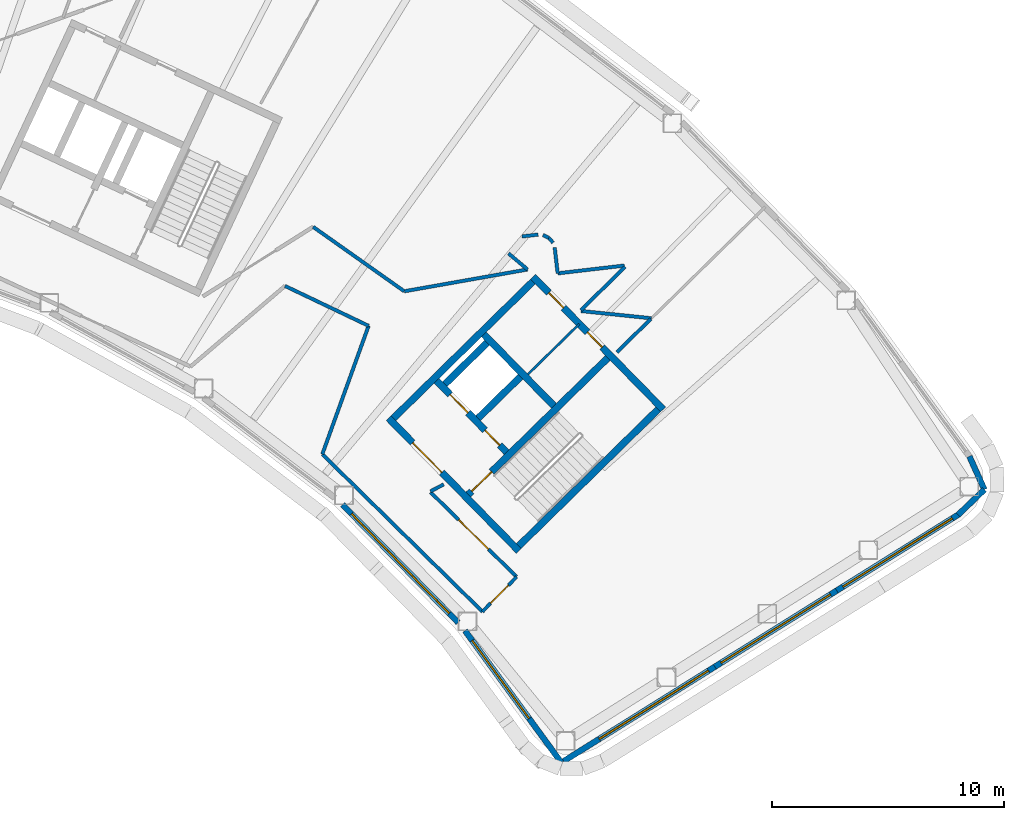
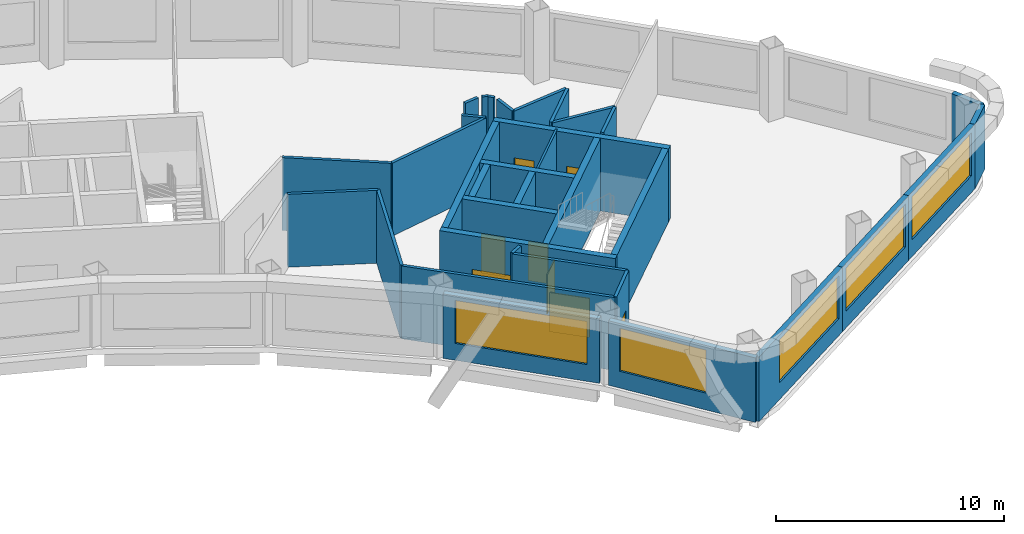
# One storey, part 9 of 13: 34 walls, 8 doors, 5 windows, 13 openings.
"""IFC4 building model written with IfcOpenShell, lengths in metres."""

from ifc_helpers import new_model, si_unit, direction, frame, frame_2d, origin, place, context, subcontext, project, spatial, rectangle, extrude, material, layer, layer_set, type_object, element, fill, save


model = new_model("IFC4")

# Units and contexts
model_context = context("Model", 3, precision=1e-05, world=origin(), true_north=direction((0.0, 1.0)))
body_context = subcontext(model_context, "Body", "Model", "MODEL_VIEW")
ifc_project = project(units=[si_unit("LENGTHUNIT", "METRE"), si_unit("AREAUNIT", "SQUARE_METRE"), si_unit("VOLUMEUNIT", "CUBIC_METRE"), si_unit("PLANEANGLEUNIT", "RADIAN"), si_unit("MASSUNIT", "GRAM", prefix="KILO")], contexts=[model_context])

# Site, building, storey
site_placement = place(None, origin())
site = spatial("IfcSite", under=ifc_project, at=site_placement, CompositionType="ELEMENT")
building_placement = place(site_placement, origin())
building = spatial("IfcBuilding", under=site, at=building_placement, Name="Tuul Gate Civic Tower", CompositionType="ELEMENT")
storey_placement = place(building_placement, frame((0.0, 0.0, 230.5)))
storey = spatial("IfcBuildingStorey", under=building, at=storey_placement, Name="Level 52", CompositionType="ELEMENT", Elevation=230.5)

# Wall, opening, door
ifc_material_1 = material(Name="Concrete C50/60", Category="concrete")
ifc_layer_1 = layer(ifc_material_1, 0.300048828125)
ifc_layer_set_1 = layer_set([ifc_layer_1], Name="Concrete C50/60")
wall_type_1 = type_object("IfcWallType", Name="Core wall C50/60", PredefinedType="SHEAR", material=ifc_layer_set_1)
wall_1_placement = place(storey_placement, frame((48.22509765625, -18.327880859375, 0.0), z_axis=(0.0, 0.0, 1.0), x_axis=(-0.700021979774, 0.714121297703, 0.0)))
wall_1 = element("IfcWall", 1, at=wall_1_placement, inside=storey, type_object=wall_type_1, Name="Core wall", PredefinedType="SHEAR", context=body_context, shape_type="SweptSolid", body=[
    extrude(rectangle(XDim=8.0, YDim=0.300048828125, at=frame_2d((4.0, 0.0))), origin(), (0.0, 0.0, 1.0), 3.89990234375),
])
opening_1_placement = place(wall_1_placement, frame((4.72509765625, 0.0, 0.0)))
opening_1 = element("IfcOpeningElement", 2, at=opening_1_placement, cuts=wall_1, Name="Opening LB-E1-LOBBY-1", PredefinedType="OPENING", context=body_context, shape_type="SweptSolid", body=[
    extrude(rectangle(XDim=1.800048828125, YDim=2.10009765625, at=frame_2d((0.89990234375, 1.050048828125))), frame((0.0, 0.16015625, 0.0), z_axis=(0.0, -1.0, 0.0), x_axis=(1.0, 0.0, 0.0)), (0.0, 0.0, 1.0), 0.320068359375),
])
ifc_material_2 = material(Name="Steel", Category="steel")
door_type_1 = type_object("IfcDoorType", Name="Lobby door", OperationType="DOUBLE_DOOR_SINGLE_SWING", PredefinedType="DOOR", material=ifc_material_2)
door_1_placement = place(opening_1_placement, frame((1.800048828125, 0.0, 0.0), z_axis=(0.0, 0.0, 1.0), x_axis=(-1.0, 0.0, 0.0)))
door_1 = element("IfcDoor", 3, at=door_1_placement, inside=storey, type_object=door_type_1, Name="Lobby door E1-LOBBY", OperationType="DOUBLE_DOOR_SINGLE_SWING", OverallHeight=2.10009765625, OverallWidth=1.800048828125, PredefinedType="DOOR", context=body_context, shape_type="SweptSolid", body=[
    extrude(rectangle(XDim=1.800048828125, YDim=2.10009765625, at=frame_2d((0.900146484375, 1.050048828125))), frame((0.0, 0.02490234375, 0.0), z_axis=(0.0, -1.0, 0.0), x_axis=(1.0, 0.0, 0.0)), (0.0, 0.0, 1.0), 0.050048828125),
])
fill(opening_1, door_1)

# Wall, openings, doors
wall_2_placement = place(storey_placement, frame((47.701904296875, -14.079833984375, 0.0), z_axis=(0.0, 0.0, 1.0), x_axis=(-0.700002721075, 0.714140175657, 0.0)))
wall_2 = element("IfcWall", 4, at=wall_2_placement, inside=storey, type_object=wall_type_1, Name="Core wall", PredefinedType="SHEAR", context=body_context, shape_type="SweptSolid", body=[
    extrude(rectangle(XDim=4.300048828125, YDim=0.300048828125, at=frame_2d((2.14990234375, 0.0))), origin(), (0.0, 0.0, 1.0), 3.89990234375),
])
opening_2_placement = place(wall_2_placement, frame((0.425048828125, 0.0, 0.0)))
opening_2 = element("IfcOpeningElement", 5, at=opening_2_placement, cuts=wall_2, Name="Opening FB-E1A1", PredefinedType="OPENING", context=body_context, shape_type="SweptSolid", body=[
    extrude(rectangle(XDim=0.89990234375, YDim=2.10009765625, at=frame_2d((0.449951171875, 1.050048828125))), frame((0.0, 0.16015625, 0.0), z_axis=(0.0, -1.0, 0.0), x_axis=(1.0, 0.0, 0.0)), (0.0, 0.0, 1.0), 0.320068359375),
])
opening_3_placement = place(wall_2_placement, frame((2.375, 0.0, 0.0)))
opening_3 = element("IfcOpeningElement", 6, at=opening_3_placement, cuts=wall_2, Name="Opening LD-M3", PredefinedType="OPENING", context=body_context, shape_type="SweptSolid", body=[
    extrude(rectangle(XDim=1.10009765625, YDim=2.10009765625, at=frame_2d((0.550048828125, 1.050048828125))), frame((0.0, 0.16015625, 0.0), z_axis=(0.0, -1.0, 0.0), x_axis=(1.0, 0.0, 0.0)), (0.0, 0.0, 1.0), 0.320068359375),
])
ifc_material_3 = material(Name="Stainless steel", Category="steel")
door_type_2 = type_object("IfcDoorType", Name="Landing door", OperationType="DOUBLE_DOOR_SLIDING", PredefinedType="DOOR", material=ifc_material_3)
door_2_placement = place(opening_3_placement, origin())
door_2 = element("IfcDoor", 7, at=door_2_placement, inside=storey, type_object=door_type_2, Name="Mid-rise lift M3 landing door", OperationType="DOUBLE_DOOR_SLIDING", OverallHeight=2.10009765625, OverallWidth=1.10009765625, PredefinedType="DOOR", context=body_context, shape_type="SweptSolid", body=[
    extrude(rectangle(XDim=1.10009765625, YDim=2.10009765625, at=frame_2d((0.550048828125, 1.050048828125))), frame((0.0, 0.02490234375, 0.0), z_axis=(0.0, -1.0, 0.0), x_axis=(1.0, 0.0, 0.0)), (0.0, 0.0, 1.0), 0.050048828125),
])
fill(opening_3, door_2)
ifc_material_4 = material(Name="Steel", Category="steel")
door_type_3 = type_object("IfcDoorType", Name="Store door", OperationType="NOTDEFINED", PredefinedType="DOOR", material=ifc_material_4)
door_3_placement = place(opening_2_placement, frame((0.89990234375, 0.0, 0.0), z_axis=(0.0, 0.0, 1.0), x_axis=(-1.0, 0.0, 0.0)))
door_3 = element("IfcDoor", 8, at=door_3_placement, inside=storey, type_object=door_type_3, Name="Store door E1A1", OperationType="SINGLE_SWING_RIGHT", OverallHeight=2.10009765625, OverallWidth=0.89990234375, PredefinedType="DOOR", context=body_context, shape_type="SweptSolid", body=[
    extrude(rectangle(XDim=0.89990234375, YDim=2.10009765625, at=frame_2d((0.449951171875, 1.050048828125))), frame((0.0, 0.02490234375, 0.0), z_axis=(0.0, -1.0, 0.0), x_axis=(1.0, 0.0, 0.0)), (0.0, 0.0, 1.0), 0.050048828125),
])
fill(opening_2, door_3)

# Wall
wall_3_placement = place(storey_placement, frame((49.737060546875, -12.0849609375, 0.0), z_axis=(0.0, 0.0, 1.0), x_axis=(-0.700002721075, 0.714140175657, 0.0)))
element("IfcWall", 9, at=wall_3_placement, inside=storey, type_object=wall_type_1, Name="Core wall", PredefinedType="SHEAR", context=body_context, shape_type="SweptSolid", body=[
    extrude(rectangle(XDim=4.300048828125, YDim=0.300048828125, at=frame_2d((2.14990234375, 0.0))), origin(), (0.0, 0.0, 1.0), 3.89990234375),
])

# Wall, openings, doors
wall_4_placement = place(storey_placement, frame((54.43798828125, -12.23779296875, 0.0), z_axis=(0.0, 0.0, 1.0), x_axis=(-0.700021979774, 0.714121297703, 0.0)))
wall_4 = element("IfcWall", 10, at=wall_4_placement, inside=storey, type_object=wall_type_1, Name="Core wall", PredefinedType="SHEAR", context=body_context, shape_type="SweptSolid", body=[
    extrude(rectangle(XDim=8.0, YDim=0.300048828125, at=frame_2d((4.0, 0.0))), origin(), (0.0, 0.0, 1.0), 3.89990234375),
])
opening_4_placement = place(wall_4_placement, frame((3.75, 0.0, 0.0)))
opening_4 = element("IfcOpeningElement", 11, at=opening_4_placement, cuts=wall_4, Name="Opening S-D34", PredefinedType="OPENING", context=body_context, shape_type="SweptSolid", body=[
    extrude(rectangle(XDim=0.89990234375, YDim=2.10009765625, at=frame_2d((0.449951171875, 1.050048828125))), frame((0.0, 0.16015625, 0.0), z_axis=(0.0, -1.0, 0.0), x_axis=(1.0, 0.0, 0.0)), (0.0, 0.0, 1.0), 0.320068359375),
])
opening_5_placement = place(wall_4_placement, frame((6.125, 0.0, 0.0)))
opening_5 = element("IfcOpeningElement", 12, at=opening_5_placement, cuts=wall_4, Name="Opening S-D35", PredefinedType="OPENING", context=body_context, shape_type="SweptSolid", body=[
    extrude(rectangle(XDim=0.89990234375, YDim=2.10009765625, at=frame_2d((0.449951171875, 1.050048828125))), frame((0.0, 0.16015625, 0.0), z_axis=(0.0, -1.0, 0.0), x_axis=(1.0, 0.0, 0.0)), (0.0, 0.0, 1.0), 0.320068359375),
])
ifc_material_5 = material(Name="Timber door leaf", Category="wood")
door_type_4 = type_object("IfcDoorType", Name="Door D09", OperationType="NOTDEFINED", PredefinedType="DOOR", material=ifc_material_5)
door_4_placement = place(opening_4_placement, origin())
door_4 = element("IfcDoor", 13, at=door_4_placement, inside=storey, type_object=door_type_4, Name="Door S-D34", OperationType="SINGLE_SWING_LEFT", OverallHeight=2.10009765625, OverallWidth=0.89990234375, PredefinedType="DOOR", context=body_context, shape_type="SweptSolid", body=[
    extrude(rectangle(XDim=0.89990234375, YDim=2.10009765625, at=frame_2d((0.449951171875, 1.050048828125))), frame((0.0, 0.02490234375, 0.0), z_axis=(0.0, -1.0, 0.0), x_axis=(1.0, 0.0, 0.0)), (0.0, 0.0, 1.0), 0.050048828125),
])
fill(opening_4, door_4)
door_5_placement = place(opening_5_placement, origin())
door_5 = element("IfcDoor", 14, at=door_5_placement, inside=storey, type_object=door_type_4, Name="Door S-D35", OperationType="SINGLE_SWING_LEFT", OverallHeight=2.10009765625, OverallWidth=0.89990234375, PredefinedType="DOOR", context=body_context, shape_type="SweptSolid", body=[
    extrude(rectangle(XDim=0.89990234375, YDim=2.10009765625, at=frame_2d((0.449951171875, 1.050048828125))), frame((0.0, 0.02490234375, 0.0), z_axis=(0.0, -1.0, 0.0), x_axis=(1.0, 0.0, 0.0)), (0.0, 0.0, 1.0), 0.050048828125),
])
fill(opening_5, door_5)

# Wall
wall_5_placement = place(storey_placement, frame((48.227294921875, -18.115966796875, 0.0), z_axis=(0.0, 0.0, 1.0), x_axis=(0.714105315431, 0.700038283577, 0.0)))
element("IfcWall", 15, at=wall_5_placement, inside=storey, type_object=wall_type_1, Name="Core wall", PredefinedType="SHEAR", context=body_context, shape_type="SweptSolid", body=[
    extrude(rectangle(XDim=8.400146484375, YDim=0.300048828125, at=frame_2d((4.2001953125, 0.0))), origin(), (0.0, 0.0, 1.0), 3.89990234375),
])

# Wall, opening, door
wall_6_placement = place(storey_placement, frame((46.05712890625, -15.902099609375, 0.0), z_axis=(0.0, 0.0, 1.0), x_axis=(0.714134086973, 0.700008932674, 0.0)))
wall_6 = element("IfcWall", 16, at=wall_6_placement, inside=storey, type_object=wall_type_1, Name="Core wall", PredefinedType="SHEAR", context=body_context, shape_type="SweptSolid", body=[
    extrude(rectangle(XDim=8.400146484375, YDim=0.300048828125, at=frame_2d((4.2001953125, 0.0))), origin(), (0.0, 0.0, 1.0), 3.89990234375),
])
opening_6_placement = place(wall_6_placement, frame((0.199951171875, 0.0, 0.0)))
opening_6 = element("IfcOpeningElement", 17, at=opening_6_placement, cuts=wall_6, Name="Opening SD-ST-3", PredefinedType="OPENING", context=body_context, shape_type="SweptSolid", body=[
    extrude(rectangle(XDim=1.199951171875, YDim=2.10009765625, at=frame_2d((0.60009765625, 1.050048828125))), frame((0.0, 0.16015625, 0.0), z_axis=(0.0, -1.0, 0.0), x_axis=(1.0, 0.0, 0.0)), (0.0, 0.0, 1.0), 0.320068359375),
])
ifc_material_6 = material(Name="Steel", Category="steel")
door_type_5 = type_object("IfcDoorType", Name="Stair door", OperationType="NOTDEFINED", PredefinedType="DOOR", material=ifc_material_6)
door_6_placement = place(opening_6_placement, origin())
door_6 = element("IfcDoor", 18, at=door_6_placement, inside=storey, type_object=door_type_5, Name="Stair door ST-3", OperationType="SINGLE_SWING_LEFT", OverallHeight=2.10009765625, OverallWidth=1.199951171875, PredefinedType="DOOR", context=body_context, shape_type="SweptSolid", body=[
    extrude(rectangle(XDim=1.199951171875, YDim=2.10009765625, at=frame_2d((0.60009765625, 1.050048828125))), frame((0.0, 0.02490234375, 0.0), z_axis=(0.0, -1.0, 0.0), x_axis=(1.0, 0.0, 0.0)), (0.0, 0.0, 1.0), 0.050048828125),
])
fill(opening_6, door_6)

# Walls
wall_7_placement = place(storey_placement, frame((46.47900390625, -12.617919921875, 0.0), z_axis=(0.0, 0.0, 1.0), x_axis=(0.71410944159, 0.700034074479, 0.0)))
element("IfcWall", 19, at=wall_7_placement, inside=storey, type_object=wall_type_1, Name="Core wall", PredefinedType="SHEAR", context=body_context, shape_type="SweptSolid", body=[
    extrude(rectangle(XDim=2.5498046875, YDim=0.300048828125, at=frame_2d((1.27490234375, 0.0))), origin(), (0.0, 0.0, 1.0), 3.89990234375),
])
wall_8_placement = place(storey_placement, frame((45.0439453125, -11.154052734375, 0.0), z_axis=(0.0, 0.0, 1.0), x_axis=(0.714108498262, 0.700035036773, 0.0)))
element("IfcWall", 20, at=wall_8_placement, inside=storey, type_object=wall_type_1, Name="Core wall", PredefinedType="SHEAR", context=body_context, shape_type="SweptSolid", body=[
    extrude(rectangle(XDim=2.550048828125, YDim=0.300048828125, at=frame_2d((1.27490234375, 0.0))), origin(), (0.0, 0.0, 1.0), 3.89990234375),
])
wall_9_placement = place(storey_placement, frame((42.837158203125, -12.616943359375, 0.0), z_axis=(0.0, 0.0, 1.0), x_axis=(0.714119844755, 0.700023461983, 0.0)))
element("IfcWall", 21, at=wall_9_placement, inside=storey, type_object=wall_type_1, Name="Core wall", PredefinedType="SHEAR", context=body_context, shape_type="SweptSolid", body=[
    extrude(rectangle(XDim=8.39990234375, YDim=0.300048828125, at=frame_2d((4.199951171875, 0.0))), origin(), (0.0, 0.0, 1.0), 3.89990234375),
])
ifc_material_7 = material(Name="Gypsum board partition")
ifc_layer_2 = layer(ifc_material_7, 0.14990234375)
ifc_layer_set_2 = layer_set([ifc_layer_2], Name="Gypsum board partition")
wall_type_2 = type_object("IfcWallType", Name="Corridor wall P150", PredefinedType="PARTITIONING", material=ifc_layer_set_2)
wall_10_placement = place(storey_placement, frame((39.772216796875, -14.166748046875, 0.0), z_axis=(0.0, 0.0, 1.0), x_axis=(0.713032522554, -0.70113095908, 0.0)))
element("IfcWall", 22, at=wall_10_placement, inside=storey, type_object=wall_type_2, Name="p002", PredefinedType="PARTITIONING", context=body_context, shape_type="SweptSolid", body=[
    extrude(rectangle(XDim=9.661865234375, YDim=0.14990234375, at=frame_2d((4.8310546875, 0.0))), origin(), (0.0, 0.0, 1.0), 3.89990234375),
])

# Wall, opening, door
wall_11_placement = place(storey_placement, frame((46.661376953125, -20.94091796875, 0.0), z_axis=(0.0, 0.0, 1.0), x_axis=(0.701035523923, 0.713126352197, 0.0)))
wall_11 = element("IfcWall", 23, at=wall_11_placement, inside=storey, type_object=wall_type_2, Name="p003", PredefinedType="PARTITIONING", context=body_context, shape_type="SweptSolid", body=[
    extrude(rectangle(XDim=2.10009765625, YDim=0.14990234375, at=frame_2d((1.050048828125, 0.0))), origin(), (0.0, 0.0, 1.0), 3.89990234375),
])
opening_7_placement = place(wall_11_placement, frame((0.5, 0.0, 0.0)))
opening_7 = element("IfcOpeningElement", 24, at=opening_7_placement, cuts=wall_11, Name="Opening S-D20", PredefinedType="OPENING", context=body_context, shape_type="SweptSolid", body=[
    extrude(rectangle(XDim=1.10009765625, YDim=2.10009765625, at=frame_2d((0.550048828125, 1.050048828125))), frame((0.0, 0.0849609375, 0.0), z_axis=(0.0, -1.0, 0.0), x_axis=(1.0, 0.0, 0.0)), (0.0, 0.0, 1.0), 0.169921875),
])
ifc_material_8 = material(Name="Timber door leaf", Category="wood")
door_type_6 = type_object("IfcDoorType", Name="Door D11", OperationType="NOTDEFINED", PredefinedType="DOOR", material=ifc_material_8)
door_7_placement = place(opening_7_placement, frame((1.10009765625, 0.0, 0.0), z_axis=(0.0, 0.0, 1.0), x_axis=(-1.0, 0.0, 0.0)))
door_7 = element("IfcDoor", 25, at=door_7_placement, inside=storey, type_object=door_type_6, Name="Door S-D20", OperationType="SINGLE_SWING_RIGHT", OverallHeight=2.10009765625, OverallWidth=1.10009765625, PredefinedType="DOOR", context=body_context, shape_type="SweptSolid", body=[
    extrude(rectangle(XDim=1.10009765625, YDim=2.10009765625, at=frame_2d((0.550048828125, 1.050048828125))), frame((0.0, 0.02490234375, 0.0), z_axis=(0.0, -1.0, 0.0), x_axis=(1.0, 0.0, 0.0)), (0.0, 0.0, 1.0), 0.050048828125),
])
fill(opening_7, door_7)

wall_12_placement = place(storey_placement, frame((44.4248046875, -15.79638671875, 0.0), z_axis=(0.0, 0.0, 1.0), x_axis=(0.71301937785, -0.701144326662, 0.0)))
wall_12 = element("IfcWall", 26, at=wall_12_placement, inside=storey, type_object=wall_type_2, Name="p004", PredefinedType="PARTITIONING", context=body_context, shape_type="SweptSolid", body=[
    extrude(rectangle(XDim=5.201416015625, YDim=0.14990234375, at=frame_2d((2.6005859375, 0.0))), origin(), (0.0, 0.0, 1.0), 3.89990234375),
])
opening_8_placement = place(wall_12_placement, frame((1.70068359375, 0.0, 0.0)))
opening_8 = element("IfcOpeningElement", 27, at=opening_8_placement, cuts=wall_12, Name="Opening S-D01", PredefinedType="OPENING", context=body_context, shape_type="SweptSolid", body=[
    extrude(rectangle(XDim=1.800048828125, YDim=2.10009765625, at=frame_2d((0.89990234375, 1.050048828125))), frame((0.0, 0.0849609375, 0.0), z_axis=(0.0, -1.0, 0.0), x_axis=(1.0, 0.0, 0.0)), (0.0, 0.0, 1.0), 0.169921875),
])
ifc_material_9 = material(Name="Timber door leaf, double", Category="wood")
door_type_7 = type_object("IfcDoorType", Name="Door D18", OperationType="DOUBLE_DOOR_SINGLE_SWING", PredefinedType="DOOR", material=ifc_material_9)
door_8_placement = place(opening_8_placement, frame((1.800048828125, 0.0, 0.0), z_axis=(0.0, 0.0, 1.0), x_axis=(-1.0, 0.0, 0.0)))
door_8 = element("IfcDoor", 28, at=door_8_placement, inside=storey, type_object=door_type_7, Name="Door S-D01", OperationType="DOUBLE_DOOR_SINGLE_SWING", OverallHeight=2.10009765625, OverallWidth=1.800048828125, PredefinedType="DOOR", context=body_context, shape_type="SweptSolid", body=[
    extrude(rectangle(XDim=1.800048828125, YDim=2.10009765625, at=frame_2d((0.900146484375, 1.050048828125))), frame((0.0, 0.02490234375, 0.0), z_axis=(0.0, -1.0, 0.0), x_axis=(1.0, 0.0, 0.0)), (0.0, 0.0, 1.0), 0.050048828125),
])
fill(opening_8, door_8)

# Walls
wall_13_placement = place(storey_placement, frame((44.4287109375, -15.764404296875, 0.0), z_axis=(0.0, 0.0, 1.0), x_axis=(0.885058078376, 0.465480609587, 0.0)))
element("IfcWall", 29, at=wall_13_placement, inside=storey, type_object=wall_type_2, Name="p005", PredefinedType="PARTITIONING", context=body_context, shape_type="SweptSolid", body=[
    extrude(rectangle(XDim=0.6435546875, YDim=0.14990234375, at=frame_2d((0.32177734375, 0.0))), origin(), (0.0, 0.0, 1.0), 3.89990234375),
])
wall_14_placement = place(storey_placement, frame((52.446533203125, -9.77783203125, 0.0), z_axis=(0.0, 0.0, 1.0), x_axis=(0.714347625983, 0.699791018271, 0.0)))
element("IfcWall", 30, at=wall_14_placement, inside=storey, type_object=wall_type_2, Name="p006", PredefinedType="PARTITIONING", context=body_context, shape_type="SweptSolid", body=[
    extrude(rectangle(XDim=2.046142578125, YDim=0.14990234375, at=frame_2d((1.02294921875, 0.0))), origin(), (0.0, 0.0, 1.0), 3.89990234375),
])
wall_15_placement = place(storey_placement, frame((50.909912109375, -8.00537109375, 0.0), z_axis=(0.0, 0.0, 1.0), x_axis=(0.994685560909, -0.102959384804, 0.0)))
element("IfcWall", 31, at=wall_15_placement, inside=storey, type_object=wall_type_2, Name="p007", PredefinedType="PARTITIONING", context=body_context, shape_type="SweptSolid", body=[
    extrude(rectangle(XDim=3.042236328125, YDim=0.14990234375, at=frame_2d((1.52099609375, 0.0))), origin(), (0.0, 0.0, 1.0), 3.89990234375),
])
wall_16_placement = place(storey_placement, frame((50.897705078125, -7.971435546875, 0.0), z_axis=(0.0, 0.0, 1.0), x_axis=(0.714270612319, 0.699869625272, 0.0)))
element("IfcWall", 32, at=wall_16_placement, inside=storey, type_object=wall_type_2, Name="p010", PredefinedType="PARTITIONING", context=body_context, shape_type="SweptSolid", body=[
    extrude(rectangle(XDim=2.66162109375, YDim=0.14990234375, at=frame_2d((1.330810546875, 0.0))), origin(), (0.0, 0.0, 1.0), 3.89990234375),
])
wall_17_placement = place(storey_placement, frame((43.306884765625, -7.155517578125, 0.0), z_axis=(0.0, 0.0, 1.0), x_axis=(0.98468061264, 0.174367689355, 0.0)))
element("IfcWall", 33, at=wall_17_placement, inside=storey, type_object=wall_type_2, Name="p011", PredefinedType="PARTITIONING", context=body_context, shape_type="SweptSolid", body=[
    extrude(rectangle(XDim=5.380859375, YDim=0.14990234375, at=frame_2d((2.6904296875, 0.0))), origin(), (0.0, 0.0, 1.0), 3.89990234375),
])
wall_18_placement = place(storey_placement, frame((49.9013671875, -6.384765625, 0.0), z_axis=(0.0, 0.0, 1.0), x_axis=(0.993234574038, 0.116125281206, 0.0)))
element("IfcWall", 34, at=wall_18_placement, inside=storey, type_object=wall_type_2, Name="p012", PredefinedType="PARTITIONING", context=body_context, shape_type="SweptSolid", body=[
    extrude(rectangle(XDim=2.888671875, YDim=0.14990234375, at=frame_2d((1.4443359375, 0.0))), origin(), (0.0, 0.0, 1.0), 3.89990234375),
])
wall_19_placement = place(storey_placement, frame((49.771484375, -5.275390625, 0.0), z_axis=(0.0, 0.0, 1.0), x_axis=(0.116283222438, -0.993216095409, 0.0)))
element("IfcWall", 35, at=wall_19_placement, inside=storey, type_object=wall_type_2, Name="p013", PredefinedType="PARTITIONING", context=body_context, shape_type="SweptSolid", body=[
    extrude(rectangle(XDim=1.116943359375, YDim=0.14990234375, at=frame_2d((0.55859375, 0.0))), origin(), (0.0, 0.0, 1.0), 3.89990234375),
])
wall_20_placement = place(storey_placement, frame((49.518798828125, -4.856689453125, 0.0), z_axis=(0.0, 0.0, 1.0), x_axis=(0.65579103284, -0.754942462209, 0.0)))
element("IfcWall", 36, at=wall_20_placement, inside=storey, type_object=wall_type_2, Name="p014", PredefinedType="PARTITIONING", context=body_context, shape_type="SweptSolid", body=[
    extrude(rectangle(XDim=0.28076171875, YDim=0.14990234375, at=frame_2d((0.140380859375, 0.0))), origin(), (0.0, 0.0, 1.0), 3.89990234375),
])
wall_21_placement = place(storey_placement, frame((49.269287109375, -4.732177734375, 0.0), z_axis=(0.0, 0.0, 1.0), x_axis=(0.894777123069, -0.446513045758, 0.0)))
element("IfcWall", 37, at=wall_21_placement, inside=storey, type_object=wall_type_2, Name="p015", PredefinedType="PARTITIONING", context=body_context, shape_type="SweptSolid", body=[
    extrude(rectangle(XDim=0.27880859375, YDim=0.14990234375, at=frame_2d((0.139404296875, 0.0))), origin(), (0.0, 0.0, 1.0), 3.89990234375),
])
wall_22_placement = place(storey_placement, frame((48.36083984375, -4.79833984375, 0.0), z_axis=(0.0, 0.0, 1.0), x_axis=(0.993249808153, 0.115994907665, 0.0)))
element("IfcWall", 38, at=wall_22_placement, inside=storey, type_object=wall_type_2, Name="p016", PredefinedType="PARTITIONING", context=body_context, shape_type="SweptSolid", body=[
    extrude(rectangle(XDim=0.702880859375, YDim=0.14990234375, at=frame_2d((0.3515625, 0.0))), origin(), (0.0, 0.0, 1.0), 3.89990234375),
])
wall_23_placement = place(storey_placement, frame((47.784912109375, -5.529052734375, 0.0), z_axis=(0.0, 0.0, 1.0), x_axis=(0.7658620017, -0.643004972261, 0.0)))
element("IfcWall", 39, at=wall_23_placement, inside=storey, type_object=wall_type_2, Name="p017", PredefinedType="PARTITIONING", context=body_context, shape_type="SweptSolid", body=[
    extrude(rectangle(XDim=1.071044921875, YDim=0.14990234375, at=frame_2d((0.53564453125, 0.0))), origin(), (0.0, 0.0, 1.0), 3.89990234375),
])
wall_24_placement = place(storey_placement, frame((39.375732421875, -4.38330078125, 0.0), z_axis=(0.0, 0.0, 1.0), x_axis=(0.816608098951, -0.57719252657, 0.0)))
element("IfcWall", 40, at=wall_24_placement, inside=storey, type_object=wall_type_2, Name="p018", PredefinedType="PARTITIONING", context=body_context, shape_type="SweptSolid", body=[
    extrude(rectangle(XDim=4.7978515625, YDim=0.14990234375, at=frame_2d((2.39892578125, 0.0))), origin(), (0.0, 0.0, 1.0), 3.89990234375),
])
wall_25_placement = place(storey_placement, frame((39.772216796875, -14.166748046875, 0.0), z_axis=(0.0, 0.0, 1.0), x_axis=(0.339184664562, 0.940719811275, 0.0)))
element("IfcWall", 41, at=wall_25_placement, inside=storey, type_object=wall_type_2, Name="p069", PredefinedType="PARTITIONING", context=body_context, shape_type="SweptSolid", body=[
    extrude(rectangle(XDim=5.8720703125, YDim=0.14990234375, at=frame_2d((2.93603515625, 0.0))), origin(), (0.0, 0.0, 1.0), 3.89990234375),
])
wall_26_placement = place(storey_placement, frame((38.16552734375, -6.9267578125, 0.0), z_axis=(0.0, 0.0, 1.0), x_axis=(0.902612466662, -0.430454103275, 0.0)))
element("IfcWall", 42, at=wall_26_placement, inside=storey, type_object=wall_type_2, Name="p070", PredefinedType="PARTITIONING", context=body_context, shape_type="SweptSolid", body=[
    extrude(rectangle(XDim=3.986572265625, YDim=0.14990234375, at=frame_2d((1.9931640625, 0.0))), origin(), (0.0, 0.0, 1.0), 3.89990234375),
])
ifc_material_10 = material(Name="Precast concrete C40/50", Category="concrete")
ifc_layer_3 = layer(ifc_material_10, 0.25)
ifc_layer_set_3 = layer_set([ifc_layer_3], Name="Precast concrete C40/50")
wall_type_3 = type_object("IfcWallType", Name="External wall", PredefinedType="STANDARD", material=ifc_layer_set_3)
wall_27_placement = place(storey_placement, frame((67.129638671875, -16.775634765625, 0.0), z_axis=(0.0, 0.0, 1.0), x_axis=(0.72218238663, 0.691702682112, 0.0)))
element("IfcWall", 43, at=wall_27_placement, inside=storey, type_object=wall_type_3, Name="External wall", PredefinedType="STANDARD", context=body_context, shape_type="SweptSolid", body=[
    extrude(rectangle(XDim=1.570068359375, YDim=0.25, at=frame_2d((0.78515625, 0.0))), origin(), (0.0, 0.0, 1.0), 3.449951171875),
])
wall_28_placement = place(storey_placement, frame((68.263427734375, -15.689697265625, 0.0), z_axis=(0.0, 0.0, 1.0), x_axis=(-0.411823957852, 0.911263423901, 0.0)))
element("IfcWall", 44, at=wall_28_placement, inside=storey, type_object=wall_type_3, Name="External wall", PredefinedType="STANDARD", context=body_context, shape_type="SweptSolid", body=[
    extrude(rectangle(XDim=1.571533203125, YDim=0.25, at=frame_2d((0.78564453125, 0.0))), origin(), (0.0, 0.0, 1.0), 3.449951171875),
])

# Wall, opening, window
wall_29_placement = place(storey_placement, frame((40.643798828125, -16.337890625, 0.0), z_axis=(0.0, 0.0, 1.0), x_axis=(0.700032616457, -0.714110870871, 0.0)))
wall_29 = element("IfcWall", 45, at=wall_29_placement, inside=storey, type_object=wall_type_3, Name="External wall", PredefinedType="STANDARD", context=body_context, shape_type="SweptSolid", body=[
    extrude(rectangle(XDim=7.110107421875, YDim=0.25, at=frame_2d((3.55517578125, 0.0))), origin(), (0.0, 0.0, 1.0), 3.449951171875),
])
opening_9_placement = place(wall_29_placement, frame((0.553955078125, 0.0, 0.89990234375)))
opening_9 = element("IfcOpeningElement", 46, at=opening_9_placement, cuts=wall_29, Name="Opening W26", PredefinedType="OPENING", context=body_context, shape_type="SweptSolid", body=[
    extrude(rectangle(XDim=6.0, YDim=2.300048828125, at=frame_2d((3.0, 1.14990234375))), frame((0.0, 0.135009765625, 0.0), z_axis=(0.0, -1.0, 0.0), x_axis=(1.0, 0.0, 0.0)), (0.0, 0.0, 1.0), 0.27001953125),
])
ifc_material_11 = material(Name="Glass", Category="glass")
window_type_1 = type_object("IfcWindowType", Name="Window W26 6000 x 2300", PartitioningType="SINGLE_PANEL", PredefinedType="WINDOW", material=ifc_material_11)
window_1_placement = place(opening_9_placement, origin())
window_1 = element("IfcWindow", 47, at=window_1_placement, inside=storey, type_object=window_type_1, Name="Window", OverallHeight=2.300048828125, OverallWidth=6.0, PartitioningType="SINGLE_PANEL", PredefinedType="WINDOW", context=body_context, shape_type="SweptSolid", body=[
    extrude(rectangle(XDim=6.0, YDim=2.300048828125, at=frame_2d((3.0, 1.14990234375))), frame((0.0, 0.030029296875, 0.0), z_axis=(0.0, -1.0, 0.0), x_axis=(1.0, 0.0, 0.0)), (0.0, 0.0, 1.0), 0.06005859375),
])
fill(opening_9, window_1)

wall_30_placement = place(storey_placement, frame((45.91064453125, -21.759033203125, 0.0), z_axis=(0.0, 0.0, 1.0), x_axis=(0.589749390831, -0.8075863149, 0.0)))
wall_30 = element("IfcWall", 48, at=wall_30_placement, inside=storey, type_object=wall_type_3, Name="External wall", PredefinedType="STANDARD", context=body_context, shape_type="SweptSolid", body=[
    extrude(rectangle(XDim=7.033935546875, YDim=0.25, at=frame_2d((3.51708984375, 0.0))), origin(), (0.0, 0.0, 1.0), 3.449951171875),
])
opening_10_placement = place(wall_30_placement, frame((0.527587890625, 0.0, 0.89990234375)))
opening_10 = element("IfcOpeningElement", 49, at=opening_10_placement, cuts=wall_30, Name="Opening W25", PredefinedType="OPENING", context=body_context, shape_type="SweptSolid", body=[
    extrude(rectangle(XDim=4.14990234375, YDim=2.300048828125, at=frame_2d((2.074951171875, 1.14990234375))), frame((0.0, 0.135009765625, 0.0), z_axis=(0.0, -1.0, 0.0), x_axis=(1.0, 0.0, 0.0)), (0.0, 0.0, 1.0), 0.27001953125),
])
ifc_material_12 = material(Name="Glass", Category="glass")
window_type_2 = type_object("IfcWindowType", Name="Window W25 4150 x 2300", PartitioningType="SINGLE_PANEL", PredefinedType="WINDOW", material=ifc_material_12)
window_2_placement = place(opening_10_placement, origin())
window_2 = element("IfcWindow", 50, at=window_2_placement, inside=storey, type_object=window_type_2, Name="Window", OverallHeight=2.300048828125, OverallWidth=4.14990234375, PartitioningType="SINGLE_PANEL", PredefinedType="WINDOW", context=body_context, shape_type="SweptSolid", body=[
    extrude(rectangle(XDim=4.14990234375, YDim=2.300048828125, at=frame_2d((2.074951171875, 1.14990234375))), frame((0.0, 0.030029296875, 0.0), z_axis=(0.0, -1.0, 0.0), x_axis=(1.0, 0.0, 0.0)), (0.0, 0.0, 1.0), 0.06005859375),
])
fill(opening_10, window_2)

wall_31_placement = place(storey_placement, frame((50.058837890625, -27.439453125, 0.0), z_axis=(0.0, 0.0, 1.0), x_axis=(0.848052898081, 0.529911579471, 0.0)))
wall_31 = element("IfcWall", 51, at=wall_31_placement, inside=storey, type_object=wall_type_3, Name="External wall", PredefinedType="STANDARD", context=body_context, shape_type="SweptSolid", body=[
    extrude(rectangle(XDim=7.78759765625, YDim=0.25, at=frame_2d((3.893798828125, 0.0))), origin(), (0.0, 0.0, 1.0), 3.449951171875),
])
opening_11_placement = place(wall_31_placement, frame((1.92138671875, 0.0, 0.89990234375)))
opening_11 = element("IfcOpeningElement", 52, at=opening_11_placement, cuts=wall_31, Name="Opening W24", PredefinedType="OPENING", context=body_context, shape_type="SweptSolid", body=[
    extrude(rectangle(XDim=5.550048828125, YDim=2.300048828125, at=frame_2d((2.77490234375, 1.14990234375))), frame((0.0, 0.135009765625, 0.0), z_axis=(0.0, -1.0, 0.0), x_axis=(1.0, 0.0, 0.0)), (0.0, 0.0, 1.0), 0.27001953125),
])
ifc_material_13 = material(Name="Glass", Category="glass")
window_type_3 = type_object("IfcWindowType", Name="Window W24 5550 x 2300", PartitioningType="SINGLE_PANEL", PredefinedType="WINDOW", material=ifc_material_13)
window_3_placement = place(opening_11_placement, origin())
window_3 = element("IfcWindow", 53, at=window_3_placement, inside=storey, type_object=window_type_3, Name="Window", OverallHeight=2.300048828125, OverallWidth=5.550048828125, PartitioningType="SINGLE_PANEL", PredefinedType="WINDOW", context=body_context, shape_type="SweptSolid", body=[
    extrude(rectangle(XDim=5.550048828125, YDim=2.300048828125, at=frame_2d((2.77490234375, 1.14990234375))), frame((0.0, 0.030029296875, 0.0), z_axis=(0.0, -1.0, 0.0), x_axis=(1.0, 0.0, 0.0)), (0.0, 0.0, 1.0), 0.06005859375),
])
fill(opening_11, window_3)

wall_32_placement = place(storey_placement, frame((56.6630859375, -23.312744140625, 0.0), z_axis=(0.0, 0.0, 1.0), x_axis=(0.848053758074, 0.529910203164, 0.0)))
wall_32 = element("IfcWall", 54, at=wall_32_placement, inside=storey, type_object=wall_type_3, Name="External wall", PredefinedType="STANDARD", context=body_context, shape_type="SweptSolid", body=[
    extrude(rectangle(XDim=6.182861328125, YDim=0.25, at=frame_2d((3.09130859375, 0.0))), origin(), (0.0, 0.0, 1.0), 3.449951171875),
])
opening_12_placement = place(wall_32_placement, frame((0.31640625, 0.0, 0.89990234375)))
opening_12 = element("IfcOpeningElement", 55, at=opening_12_placement, cuts=wall_32, Name="Opening W24", PredefinedType="OPENING", context=body_context, shape_type="SweptSolid", body=[
    extrude(rectangle(XDim=5.550048828125, YDim=2.300048828125, at=frame_2d((2.77490234375, 1.14990234375))), frame((0.0, 0.135009765625, 0.0), z_axis=(0.0, -1.0, 0.0), x_axis=(1.0, 0.0, 0.0)), (0.0, 0.0, 1.0), 0.27001953125),
])
window_4_placement = place(opening_12_placement, origin())
window_4 = element("IfcWindow", 56, at=window_4_placement, inside=storey, type_object=window_type_3, Name="Window", OverallHeight=2.300048828125, OverallWidth=5.550048828125, PartitioningType="SINGLE_PANEL", PredefinedType="WINDOW", context=body_context, shape_type="SweptSolid", body=[
    extrude(rectangle(XDim=5.550048828125, YDim=2.300048828125, at=frame_2d((2.77490234375, 1.14990234375))), frame((0.0, 0.030029296875, 0.0), z_axis=(0.0, -1.0, 0.0), x_axis=(1.0, 0.0, 0.0)), (0.0, 0.0, 1.0), 0.06005859375),
])
fill(opening_12, window_4)

wall_33_placement = place(storey_placement, frame((61.906494140625, -20.036376953125, 0.0), z_axis=(0.0, 0.0, 1.0), x_axis=(0.848042669488, 0.529927948619, 0.0)))
wall_33 = element("IfcWall", 57, at=wall_33_placement, inside=storey, type_object=wall_type_3, Name="External wall", PredefinedType="STANDARD", context=body_context, shape_type="SweptSolid", body=[
    extrude(rectangle(XDim=6.1826171875, YDim=0.25, at=frame_2d((3.09130859375, 0.0))), origin(), (0.0, 0.0, 1.0), 3.449951171875),
])
opening_13_placement = place(wall_33_placement, frame((0.31640625, 0.0, 0.89990234375)))
opening_13 = element("IfcOpeningElement", 58, at=opening_13_placement, cuts=wall_33, Name="Opening W24", PredefinedType="OPENING", context=body_context, shape_type="SweptSolid", body=[
    extrude(rectangle(XDim=5.550048828125, YDim=2.300048828125, at=frame_2d((2.77490234375, 1.14990234375))), frame((0.0, 0.135009765625, 0.0), z_axis=(0.0, -1.0, 0.0), x_axis=(1.0, 0.0, 0.0)), (0.0, 0.0, 1.0), 0.27001953125),
])
window_5_placement = place(opening_13_placement, origin())
window_5 = element("IfcWindow", 59, at=window_5_placement, inside=storey, type_object=window_type_3, Name="Window", OverallHeight=2.300048828125, OverallWidth=5.550048828125, PartitioningType="SINGLE_PANEL", PredefinedType="WINDOW", context=body_context, shape_type="SweptSolid", body=[
    extrude(rectangle(XDim=5.550048828125, YDim=2.300048828125, at=frame_2d((2.77490234375, 1.14990234375))), frame((0.0, 0.030029296875, 0.0), z_axis=(0.0, -1.0, 0.0), x_axis=(1.0, 0.0, 0.0)), (0.0, 0.0, 1.0), 0.06005859375),
])
fill(opening_13, window_5)

# Wall
ifc_material_14 = material(Name="Gypsum board partition")
ifc_layer_4 = layer(ifc_material_14, 0.10009765625)
ifc_layer_set_4 = layer_set([ifc_layer_4], Name="Gypsum board partition")
wall_type_4 = type_object("IfcWallType", Name="Partition P100", PredefinedType="PARTITIONING", material=ifc_layer_set_4)
wall_34_placement = place(storey_placement, frame((48.619140625, -10.72998046875, 0.0), z_axis=(0.0, 0.0, 1.0), x_axis=(0.714159293908, 0.699983216173, 0.0)))
element("IfcWall", 60, at=wall_34_placement, inside=storey, type_object=wall_type_4, Name="bE1-BAND-0", PredefinedType="PARTITIONING", context=body_context, shape_type="SweptSolid", body=[
    extrude(rectangle(XDim=3.099853515625, YDim=0.10009765625, at=frame_2d((1.5498046875, 0.0))), origin(), (0.0, 0.0, 1.0), 3.89990234375),
])

save(model, "model.ifc")
